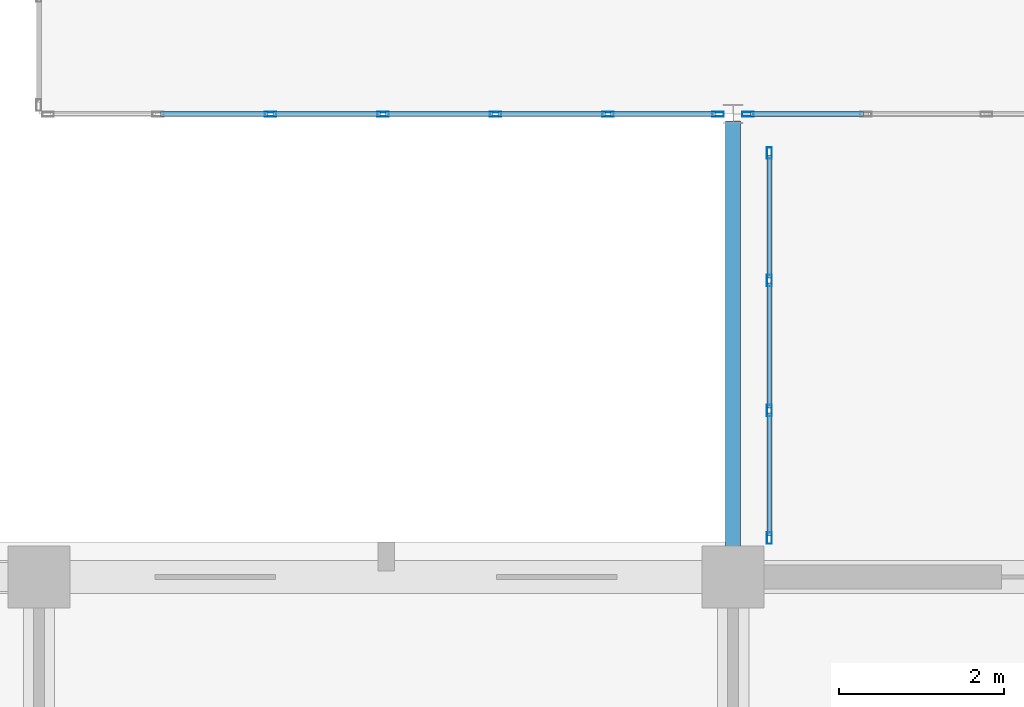
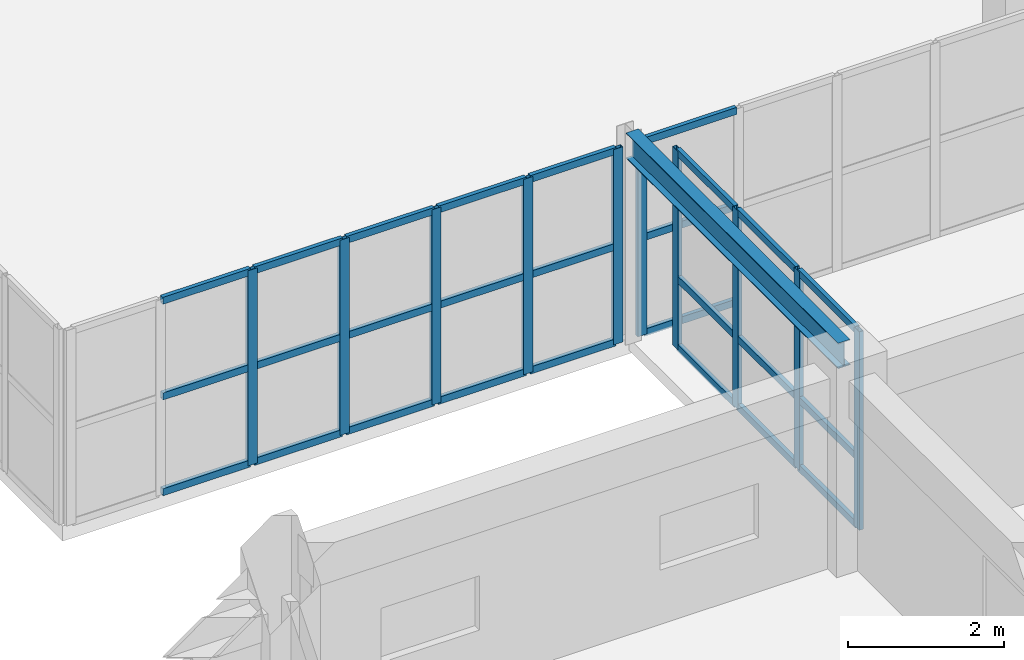
# One storey, part 54 of 200: 37 members, 1 beam, 3 elements without a shape of their own.
"""IFC4 building model written with IfcOpenShell, lengths in metres."""

from ifc_helpers import new_model, si_unit, direction, frame, origin, origin_2d, place, context, subcontext, project, spatial, hollow_rectangle, i_section, extrude, material, layer, layer_set, material_profile, profile_set, type_object, element, aggregate, save


model = new_model("IFC4")

# Units and contexts
model_context = context("Model", 3, precision=1e-05, world=origin(), true_north=direction((0.0, 1.0)))
body_context = subcontext(model_context, "Body", "Model", "MODEL_VIEW")
ifc_project = project(units=[si_unit("LENGTHUNIT", "METRE"), si_unit("AREAUNIT", "SQUARE_METRE"), si_unit("VOLUMEUNIT", "CUBIC_METRE"), si_unit("PLANEANGLEUNIT", "RADIAN"), si_unit("MASSUNIT", "GRAM", prefix="KILO")], contexts=[model_context])

# Site, building, storey
site_placement = place(None, origin())
site = spatial("IfcSite", under=ifc_project, at=site_placement, CompositionType="ELEMENT")
building_placement = place(site_placement, origin())
building = spatial("IfcBuilding", under=site, at=building_placement, Name="Trelvath General Hospital", CompositionType="ELEMENT")
storey_placement = place(building_placement, frame((0.0, 0.0, 4.800048828125)))
storey = spatial("IfcBuildingStorey", under=building, at=storey_placement, Name="L01", CompositionType="ELEMENT", Elevation=4.800048828125)

# Beam
ifc_material_1 = material(Name="Steel S355", Category="steel")
ifc_material_profile_1 = material_profile(ifc_material_1, i_section(OverallWidth=0.179931640625, OverallDepth=0.39990234375, WebThickness=0.008544921875, FlangeThickness=0.013427734375, at=origin_2d()), Name="IPE400")
ifc_profile_set_1 = profile_set([ifc_material_profile_1], Name="Steel S355")
beam_type = type_object("IfcBeamType", Name="BridgeGirder IPE400", PredefinedType="BEAM", material=ifc_profile_set_1)
beam_placement = place(storey_placement, frame((100.800048828125, 25.280029296875, 3.099853515625), z_axis=(0.0, 1.0, 0.0), x_axis=(-1.0, 0.0, 0.0)))
element("IfcBeam", 1, at=beam_placement, inside=storey, type_object=beam_type, Name="Bridge Roof Girder BRG-S-E W", PredefinedType="BEAM", context=body_context, shape_type="SweptSolid", body=[
    extrude(i_section(OverallWidth=0.179931640625, OverallDepth=0.39990234375, WebThickness=0.008544921875, FlangeThickness=0.013427734375, at=origin_2d()), origin(), (0.0, 0.0, 1.0), 5.43994140625),
])

# Curtain wall, members
ifc_material_2 = material(Name="Anodised aluminium and low-E glass", Category="aluminium")
ifc_layer_1 = layer(ifc_material_2, 0.14990234375)
ifc_layer_set_1 = layer_set([ifc_layer_1], Name="Anodised aluminium and low-E glass")
curtain_wall_type_1 = type_object("IfcCurtainWallType", Name="CW CrystalCube 817 306 15", PredefinedType="USERDEFINED", material=ifc_layer_set_1)
curtain_wall_1_placement = place(storey_placement, origin())
curtain_wall_1 = element("IfcCurtainWall", 2, at=curtain_wall_1_placement, inside=storey, type_object=curtain_wall_type_1, Name="Crystal Cube Curtain Wall CUBE-E-T0 S1 L01", ObjectType="Unitised Glazed Curtain Wall", PredefinedType="USERDEFINED")
ifc_material_3 = material(Name="Anodised aluminium", Category="aluminium")
ifc_material_profile_2 = material_profile(ifc_material_3, hollow_rectangle(XDim=0.06005859375, YDim=0.139892578125, WallThickness=0.00390625, at=origin_2d()), Name="RHS60x140x4")
ifc_profile_set_2 = profile_set([ifc_material_profile_2], Name="Anodised aluminium")
member_type_1 = type_object("IfcMemberType", Name="CurtainMullion 60x140", PredefinedType="MULLION", material=ifc_profile_set_2)
member_1_placement = place(storey_placement, frame((100.6201171875, 30.800048828125, 0.0), z_axis=(0.0, 0.0, 1.0), x_axis=(0.0, -1.0, 0.0)))
member_1 = element("IfcMember", 3, at=member_1_placement, type_object=member_type_1, Name="CW-150 mullion 1", PredefinedType="MULLION", context=body_context, shape_type="SweptSolid", body=[
    extrude(hollow_rectangle(XDim=0.06005859375, YDim=0.139892578125, WallThickness=0.00390625, at=origin_2d()), origin(), (0.0, 0.0, 1.0), 3.06005859375),
])
member_2_placement = place(storey_placement, frame((99.288330078125, 30.800048828125, 0.0), z_axis=(0.0, 0.0, 1.0), x_axis=(0.0, -1.0, 0.0)))
member_2 = element("IfcMember", 4, at=member_2_placement, type_object=member_type_1, Name="CW-150 mullion 2", PredefinedType="MULLION", context=body_context, shape_type="SweptSolid", body=[
    extrude(hollow_rectangle(XDim=0.06005859375, YDim=0.139892578125, WallThickness=0.00390625, at=origin_2d()), origin(), (0.0, 0.0, 1.0), 3.06005859375),
])
member_3_placement = place(storey_placement, frame((97.9267578125, 30.800048828125, 0.0), z_axis=(0.0, 0.0, 1.0), x_axis=(0.0, -1.0, 0.0)))
member_3 = element("IfcMember", 5, at=member_3_placement, type_object=member_type_1, Name="CW-150 mullion 3", PredefinedType="MULLION", context=body_context, shape_type="SweptSolid", body=[
    extrude(hollow_rectangle(XDim=0.06005859375, YDim=0.139892578125, WallThickness=0.00390625, at=origin_2d()), origin(), (0.0, 0.0, 1.0), 3.06005859375),
])
member_4_placement = place(storey_placement, frame((96.56494140625, 30.800048828125, 0.0), z_axis=(0.0, 0.0, 1.0), x_axis=(0.0, -1.0, 0.0)))
member_4 = element("IfcMember", 6, at=member_4_placement, type_object=member_type_1, Name="CW-150 mullion 4", PredefinedType="MULLION", context=body_context, shape_type="SweptSolid", body=[
    extrude(hollow_rectangle(XDim=0.06005859375, YDim=0.139892578125, WallThickness=0.00390625, at=origin_2d()), origin(), (0.0, 0.0, 1.0), 3.06005859375),
])
member_5_placement = place(storey_placement, frame((95.203369140625, 30.800048828125, 0.0), z_axis=(0.0, 0.0, 1.0), x_axis=(0.0, -1.0, 0.0)))
member_5 = element("IfcMember", 7, at=member_5_placement, type_object=member_type_1, Name="CW-150 mullion 5", PredefinedType="MULLION", context=body_context, shape_type="SweptSolid", body=[
    extrude(hollow_rectangle(XDim=0.06005859375, YDim=0.139892578125, WallThickness=0.00390625, at=origin_2d()), origin(), (0.0, 0.0, 1.0), 3.06005859375),
])

# Curtain wall, member
ifc_material_4 = material(Name="Anodised aluminium and low-E glass", Category="aluminium")
ifc_layer_2 = layer(ifc_material_4, 0.14990234375)
ifc_layer_set_2 = layer_set([ifc_layer_2], Name="Anodised aluminium and low-E glass")
curtain_wall_type_2 = type_object("IfcCurtainWallType", Name="CW CrystalCube 583 306 15", PredefinedType="USERDEFINED", material=ifc_layer_set_2)
curtain_wall_2_placement = place(storey_placement, origin())
curtain_wall_2 = element("IfcCurtainWall", 8, at=curtain_wall_2_placement, inside=storey, type_object=curtain_wall_type_2, Name="Crystal Cube Curtain Wall CUBE-E-T0 S2 L01", ObjectType="Unitised Glazed Curtain Wall", PredefinedType="USERDEFINED")
member_6_placement = place(storey_placement, frame((100.97998046875, 30.800048828125, 0.0), z_axis=(0.0, 0.0, 1.0), x_axis=(0.0, -1.0, 0.0)))
member_6 = element("IfcMember", 9, at=member_6_placement, type_object=member_type_1, Name="CW-151 mullion 5", PredefinedType="MULLION", context=body_context, shape_type="SweptSolid", body=[
    extrude(hollow_rectangle(XDim=0.06005859375, YDim=0.139892578125, WallThickness=0.00390625, at=origin_2d()), origin(), (0.0, 0.0, 1.0), 3.06005859375),
])

# Curtain wall, members
ifc_material_5 = material(Name="Anodised aluminium and low-E glass", Category="aluminium")
ifc_layer_3 = layer(ifc_material_5, 0.139892578125)
ifc_layer_set_3 = layer_set([ifc_layer_3], Name="Anodised aluminium and low-E glass")
curtain_wall_type_3 = type_object("IfcCurtainWallType", Name="CW Bridge 472 311", PredefinedType="USERDEFINED", material=ifc_layer_set_3)
curtain_wall_3_placement = place(storey_placement, origin())
curtain_wall_3 = element("IfcCurtainWall", 10, at=curtain_wall_3_placement, inside=storey, type_object=curtain_wall_type_3, Name="Glazed Bridge Curtain Wall BRG-S-E W L01", ObjectType="Unitised Glazed Curtain Wall", PredefinedType="USERDEFINED")
member_7_placement = place(storey_placement, frame((101.239990234375, 25.669921875, 0.0), z_axis=(0.0, 0.0, 1.0), x_axis=(-1.0, 0.0, 0.0)))
member_7 = element("IfcMember", 11, at=member_7_placement, type_object=member_type_1, Name="CW-188 mullion 1", PredefinedType="MULLION", context=body_context, shape_type="SweptSolid", body=[
    extrude(hollow_rectangle(XDim=0.06005859375, YDim=0.139892578125, WallThickness=0.00390625, at=origin_2d()), origin(), (0.0, 0.0, 1.0), 3.10986328125),
])
member_8_placement = place(storey_placement, frame((101.239990234375, 27.21337890625, 0.0), z_axis=(0.0, 0.0, 1.0), x_axis=(-1.0, 0.0, 0.0)))
member_8 = element("IfcMember", 12, at=member_8_placement, type_object=member_type_1, Name="CW-188 mullion 2", PredefinedType="MULLION", context=body_context, shape_type="SweptSolid", body=[
    extrude(hollow_rectangle(XDim=0.06005859375, YDim=0.139892578125, WallThickness=0.00390625, at=origin_2d()), origin(), (0.0, 0.0, 1.0), 3.10986328125),
])
member_9_placement = place(storey_placement, frame((101.239990234375, 28.78662109375, 0.0), z_axis=(0.0, 0.0, 1.0), x_axis=(-1.0, 0.0, 0.0)))
member_9 = element("IfcMember", 13, at=member_9_placement, type_object=member_type_1, Name="CW-188 mullion 3", PredefinedType="MULLION", context=body_context, shape_type="SweptSolid", body=[
    extrude(hollow_rectangle(XDim=0.06005859375, YDim=0.139892578125, WallThickness=0.00390625, at=origin_2d()), origin(), (0.0, 0.0, 1.0), 3.10986328125),
])
member_10_placement = place(storey_placement, frame((101.239990234375, 30.330078125, 0.0), z_axis=(0.0, 0.0, 1.0), x_axis=(-1.0, 0.0, 0.0)))
member_10 = element("IfcMember", 14, at=member_10_placement, type_object=member_type_1, Name="CW-188 mullion 4", PredefinedType="MULLION", context=body_context, shape_type="SweptSolid", body=[
    extrude(hollow_rectangle(XDim=0.06005859375, YDim=0.139892578125, WallThickness=0.00390625, at=origin_2d()), origin(), (0.0, 0.0, 1.0), 3.10986328125),
])

# Member
ifc_material_6 = material(Name="Anodised aluminium", Category="aluminium")
ifc_material_profile_3 = material_profile(ifc_material_6, hollow_rectangle(XDim=0.06005859375, YDim=0.110107421875, WallThickness=0.00390625, at=origin_2d()), Name="RHS60x110x4")
ifc_profile_set_3 = profile_set([ifc_material_profile_3], Name="Anodised aluminium")
member_type_2 = type_object("IfcMemberType", Name="CurtainTransom 60x110", PredefinedType="USERDEFINED", material=ifc_profile_set_3)
member_11_placement = place(storey_placement, frame((100.590087890625, 30.800048828125, 0.030029296875), z_axis=(-1.0, 0.0, 0.0), x_axis=(0.0, -1.0, 0.0)))
member_11 = element("IfcMember", 15, at=member_11_placement, type_object=member_type_2, Name="CW-150 transom 1.1", ObjectType="TRANSOM", PredefinedType="USERDEFINED", context=body_context, shape_type="SweptSolid", body=[
    extrude(hollow_rectangle(XDim=0.06005859375, YDim=0.110107421875, WallThickness=0.00390625, at=origin_2d()), origin(), (0.0, 0.0, 1.0), 1.271728515625),
])

member_12_placement = place(storey_placement, frame((100.590087890625, 30.800048828125, 1.530029296875), z_axis=(-1.0, 0.0, 0.0), x_axis=(0.0, -1.0, 0.0)))
member_12 = element("IfcMember", 16, at=member_12_placement, type_object=member_type_2, Name="CW-150 transom 1.2", ObjectType="TRANSOM", PredefinedType="USERDEFINED", context=body_context, shape_type="SweptSolid", body=[
    extrude(hollow_rectangle(XDim=0.06005859375, YDim=0.110107421875, WallThickness=0.00390625, at=origin_2d()), origin(), (0.0, 0.0, 1.0), 1.271728515625),
])

member_13_placement = place(storey_placement, frame((100.590087890625, 30.800048828125, 3.030029296875), z_axis=(-1.0, 0.0, 0.0), x_axis=(0.0, -1.0, 0.0)))
member_13 = element("IfcMember", 17, at=member_13_placement, type_object=member_type_2, Name="CW-150 transom 1.3", ObjectType="TRANSOM", PredefinedType="USERDEFINED", context=body_context, shape_type="SweptSolid", body=[
    extrude(hollow_rectangle(XDim=0.06005859375, YDim=0.110107421875, WallThickness=0.00390625, at=origin_2d()), origin(), (0.0, 0.0, 1.0), 1.271728515625),
])

member_14_placement = place(storey_placement, frame((99.25830078125, 30.800048828125, 0.030029296875), z_axis=(-1.0, 0.0, 0.0), x_axis=(0.0, -1.0, 0.0)))
member_14 = element("IfcMember", 18, at=member_14_placement, type_object=member_type_2, Name="CW-150 transom 2.1", ObjectType="TRANSOM", PredefinedType="USERDEFINED", context=body_context, shape_type="SweptSolid", body=[
    extrude(hollow_rectangle(XDim=0.06005859375, YDim=0.110107421875, WallThickness=0.00390625, at=origin_2d()), origin(), (0.0, 0.0, 1.0), 1.301513671875),
])

member_15_placement = place(storey_placement, frame((99.25830078125, 30.800048828125, 1.530029296875), z_axis=(-1.0, 0.0, 0.0), x_axis=(0.0, -1.0, 0.0)))
member_15 = element("IfcMember", 19, at=member_15_placement, type_object=member_type_2, Name="CW-150 transom 2.2", ObjectType="TRANSOM", PredefinedType="USERDEFINED", context=body_context, shape_type="SweptSolid", body=[
    extrude(hollow_rectangle(XDim=0.06005859375, YDim=0.110107421875, WallThickness=0.00390625, at=origin_2d()), origin(), (0.0, 0.0, 1.0), 1.301513671875),
])

member_16_placement = place(storey_placement, frame((99.25830078125, 30.800048828125, 3.030029296875), z_axis=(-1.0, 0.0, 0.0), x_axis=(0.0, -1.0, 0.0)))
member_16 = element("IfcMember", 20, at=member_16_placement, type_object=member_type_2, Name="CW-150 transom 2.3", ObjectType="TRANSOM", PredefinedType="USERDEFINED", context=body_context, shape_type="SweptSolid", body=[
    extrude(hollow_rectangle(XDim=0.06005859375, YDim=0.110107421875, WallThickness=0.00390625, at=origin_2d()), origin(), (0.0, 0.0, 1.0), 1.301513671875),
])

member_17_placement = place(storey_placement, frame((97.896728515625, 30.800048828125, 0.030029296875), z_axis=(-1.0, 0.0, 0.0), x_axis=(0.0, -1.0, 0.0)))
member_17 = element("IfcMember", 21, at=member_17_placement, type_object=member_type_2, Name="CW-150 transom 3.1", ObjectType="TRANSOM", PredefinedType="USERDEFINED", context=body_context, shape_type="SweptSolid", body=[
    extrude(hollow_rectangle(XDim=0.06005859375, YDim=0.110107421875, WallThickness=0.00390625, at=origin_2d()), origin(), (0.0, 0.0, 1.0), 1.3017578125),
])

member_18_placement = place(storey_placement, frame((97.896728515625, 30.800048828125, 1.530029296875), z_axis=(-1.0, 0.0, 0.0), x_axis=(0.0, -1.0, 0.0)))
member_18 = element("IfcMember", 22, at=member_18_placement, type_object=member_type_2, Name="CW-150 transom 3.2", ObjectType="TRANSOM", PredefinedType="USERDEFINED", context=body_context, shape_type="SweptSolid", body=[
    extrude(hollow_rectangle(XDim=0.06005859375, YDim=0.110107421875, WallThickness=0.00390625, at=origin_2d()), origin(), (0.0, 0.0, 1.0), 1.3017578125),
])

member_19_placement = place(storey_placement, frame((97.896728515625, 30.800048828125, 3.030029296875), z_axis=(-1.0, 0.0, 0.0), x_axis=(0.0, -1.0, 0.0)))
member_19 = element("IfcMember", 23, at=member_19_placement, type_object=member_type_2, Name="CW-150 transom 3.3", ObjectType="TRANSOM", PredefinedType="USERDEFINED", context=body_context, shape_type="SweptSolid", body=[
    extrude(hollow_rectangle(XDim=0.06005859375, YDim=0.110107421875, WallThickness=0.00390625, at=origin_2d()), origin(), (0.0, 0.0, 1.0), 1.3017578125),
])

member_20_placement = place(storey_placement, frame((96.534912109375, 30.800048828125, 0.030029296875), z_axis=(-1.0, 0.0, 0.0), x_axis=(0.0, -1.0, 0.0)))
member_20 = element("IfcMember", 24, at=member_20_placement, type_object=member_type_2, Name="CW-150 transom 4.1", ObjectType="TRANSOM", PredefinedType="USERDEFINED", context=body_context, shape_type="SweptSolid", body=[
    extrude(hollow_rectangle(XDim=0.06005859375, YDim=0.110107421875, WallThickness=0.00390625, at=origin_2d()), origin(), (0.0, 0.0, 1.0), 1.301513671875),
])

member_21_placement = place(storey_placement, frame((96.534912109375, 30.800048828125, 1.530029296875), z_axis=(-1.0, 0.0, 0.0), x_axis=(0.0, -1.0, 0.0)))
member_21 = element("IfcMember", 25, at=member_21_placement, type_object=member_type_2, Name="CW-150 transom 4.2", ObjectType="TRANSOM", PredefinedType="USERDEFINED", context=body_context, shape_type="SweptSolid", body=[
    extrude(hollow_rectangle(XDim=0.06005859375, YDim=0.110107421875, WallThickness=0.00390625, at=origin_2d()), origin(), (0.0, 0.0, 1.0), 1.301513671875),
])

member_22_placement = place(storey_placement, frame((96.534912109375, 30.800048828125, 3.030029296875), z_axis=(-1.0, 0.0, 0.0), x_axis=(0.0, -1.0, 0.0)))
member_22 = element("IfcMember", 26, at=member_22_placement, type_object=member_type_2, Name="CW-150 transom 4.3", ObjectType="TRANSOM", PredefinedType="USERDEFINED", context=body_context, shape_type="SweptSolid", body=[
    extrude(hollow_rectangle(XDim=0.06005859375, YDim=0.110107421875, WallThickness=0.00390625, at=origin_2d()), origin(), (0.0, 0.0, 1.0), 1.301513671875),
])

member_23_placement = place(storey_placement, frame((95.17333984375, 30.800048828125, 0.030029296875), z_axis=(-1.0, 0.0, 0.0), x_axis=(0.0, -1.0, 0.0)))
member_23 = element("IfcMember", 27, at=member_23_placement, type_object=member_type_2, Name="CW-150 transom 5.1", ObjectType="TRANSOM", PredefinedType="USERDEFINED", context=body_context, shape_type="SweptSolid", body=[
    extrude(hollow_rectangle(XDim=0.06005859375, YDim=0.110107421875, WallThickness=0.00390625, at=origin_2d()), origin(), (0.0, 0.0, 1.0), 1.3017578125),
])

member_24_placement = place(storey_placement, frame((95.17333984375, 30.800048828125, 1.530029296875), z_axis=(-1.0, 0.0, 0.0), x_axis=(0.0, -1.0, 0.0)))
member_24 = element("IfcMember", 28, at=member_24_placement, type_object=member_type_2, Name="CW-150 transom 5.2", ObjectType="TRANSOM", PredefinedType="USERDEFINED", context=body_context, shape_type="SweptSolid", body=[
    extrude(hollow_rectangle(XDim=0.06005859375, YDim=0.110107421875, WallThickness=0.00390625, at=origin_2d()), origin(), (0.0, 0.0, 1.0), 1.3017578125),
])

member_25_placement = place(storey_placement, frame((95.17333984375, 30.800048828125, 3.030029296875), z_axis=(-1.0, 0.0, 0.0), x_axis=(0.0, -1.0, 0.0)))
member_25 = element("IfcMember", 29, at=member_25_placement, type_object=member_type_2, Name="CW-150 transom 5.3", ObjectType="TRANSOM", PredefinedType="USERDEFINED", context=body_context, shape_type="SweptSolid", body=[
    extrude(hollow_rectangle(XDim=0.06005859375, YDim=0.110107421875, WallThickness=0.00390625, at=origin_2d()), origin(), (0.0, 0.0, 1.0), 1.3017578125),
])

aggregate(curtain_wall_1, [member_1, member_2, member_3, member_4, member_5, member_11, member_12, member_13, member_14, member_15, member_16, member_17, member_18, member_19, member_20, member_21, member_22, member_23, member_24, member_25])

member_26_placement = place(storey_placement, frame((102.37744140625, 30.800048828125, 0.030029296875), z_axis=(-1.0, 0.0, 0.0), x_axis=(0.0, -1.0, 0.0)))
member_26 = element("IfcMember", 30, at=member_26_placement, type_object=member_type_2, Name="CW-151 transom 4.1", ObjectType="TRANSOM", PredefinedType="USERDEFINED", context=body_context, shape_type="SweptSolid", body=[
    extrude(hollow_rectangle(XDim=0.06005859375, YDim=0.110107421875, WallThickness=0.00390625, at=origin_2d()), origin(), (0.0, 0.0, 1.0), 1.367431640625),
])

member_27_placement = place(storey_placement, frame((102.37744140625, 30.800048828125, 1.530029296875), z_axis=(-1.0, 0.0, 0.0), x_axis=(0.0, -1.0, 0.0)))
member_27 = element("IfcMember", 31, at=member_27_placement, type_object=member_type_2, Name="CW-151 transom 4.2", ObjectType="TRANSOM", PredefinedType="USERDEFINED", context=body_context, shape_type="SweptSolid", body=[
    extrude(hollow_rectangle(XDim=0.06005859375, YDim=0.110107421875, WallThickness=0.00390625, at=origin_2d()), origin(), (0.0, 0.0, 1.0), 1.367431640625),
])

member_28_placement = place(storey_placement, frame((102.37744140625, 30.800048828125, 3.030029296875), z_axis=(-1.0, 0.0, 0.0), x_axis=(0.0, -1.0, 0.0)))
member_28 = element("IfcMember", 32, at=member_28_placement, type_object=member_type_2, Name="CW-151 transom 4.3", ObjectType="TRANSOM", PredefinedType="USERDEFINED", context=body_context, shape_type="SweptSolid", body=[
    extrude(hollow_rectangle(XDim=0.06005859375, YDim=0.110107421875, WallThickness=0.00390625, at=origin_2d()), origin(), (0.0, 0.0, 1.0), 1.367431640625),
])

aggregate(curtain_wall_2, [member_6, member_26, member_27, member_28])

member_29_placement = place(storey_placement, frame((101.239990234375, 25.699951171875, 0.030029296875), z_axis=(0.0, 1.0, 0.0), x_axis=(-1.0, 0.0, 0.0)))
member_29 = element("IfcMember", 33, at=member_29_placement, type_object=member_type_2, Name="CW-188 transom 1.1", ObjectType="TRANSOM", PredefinedType="USERDEFINED", context=body_context, shape_type="SweptSolid", body=[
    extrude(hollow_rectangle(XDim=0.06005859375, YDim=0.110107421875, WallThickness=0.00390625, at=origin_2d()), origin(), (0.0, 0.0, 1.0), 1.4833984375),
])

member_30_placement = place(storey_placement, frame((101.239990234375, 25.699951171875, 1.099853515625), z_axis=(0.0, 1.0, 0.0), x_axis=(-1.0, 0.0, 0.0)))
member_30 = element("IfcMember", 34, at=member_30_placement, type_object=member_type_2, Name="CW-188 transom 1.2", ObjectType="TRANSOM", PredefinedType="USERDEFINED", context=body_context, shape_type="SweptSolid", body=[
    extrude(hollow_rectangle(XDim=0.06005859375, YDim=0.110107421875, WallThickness=0.00390625, at=origin_2d()), origin(), (0.0, 0.0, 1.0), 1.4833984375),
])

member_31_placement = place(storey_placement, frame((101.239990234375, 25.699951171875, 3.079833984375), z_axis=(0.0, 1.0, 0.0), x_axis=(-1.0, 0.0, 0.0)))
member_31 = element("IfcMember", 35, at=member_31_placement, type_object=member_type_2, Name="CW-188 transom 1.3", ObjectType="TRANSOM", PredefinedType="USERDEFINED", context=body_context, shape_type="SweptSolid", body=[
    extrude(hollow_rectangle(XDim=0.06005859375, YDim=0.110107421875, WallThickness=0.00390625, at=origin_2d()), origin(), (0.0, 0.0, 1.0), 1.4833984375),
])

member_32_placement = place(storey_placement, frame((101.239990234375, 27.243408203125, 0.030029296875), z_axis=(0.0, 1.0, 0.0), x_axis=(-1.0, 0.0, 0.0)))
member_32 = element("IfcMember", 36, at=member_32_placement, type_object=member_type_2, Name="CW-188 transom 2.1", ObjectType="TRANSOM", PredefinedType="USERDEFINED", context=body_context, shape_type="SweptSolid", body=[
    extrude(hollow_rectangle(XDim=0.06005859375, YDim=0.110107421875, WallThickness=0.00390625, at=origin_2d()), origin(), (0.0, 0.0, 1.0), 1.51318359375),
])

member_33_placement = place(storey_placement, frame((101.239990234375, 27.243408203125, 1.099853515625), z_axis=(0.0, 1.0, 0.0), x_axis=(-1.0, 0.0, 0.0)))
member_33 = element("IfcMember", 37, at=member_33_placement, type_object=member_type_2, Name="CW-188 transom 2.2", ObjectType="TRANSOM", PredefinedType="USERDEFINED", context=body_context, shape_type="SweptSolid", body=[
    extrude(hollow_rectangle(XDim=0.06005859375, YDim=0.110107421875, WallThickness=0.00390625, at=origin_2d()), origin(), (0.0, 0.0, 1.0), 1.51318359375),
])

member_34_placement = place(storey_placement, frame((101.239990234375, 27.243408203125, 3.079833984375), z_axis=(0.0, 1.0, 0.0), x_axis=(-1.0, 0.0, 0.0)))
member_34 = element("IfcMember", 38, at=member_34_placement, type_object=member_type_2, Name="CW-188 transom 2.3", ObjectType="TRANSOM", PredefinedType="USERDEFINED", context=body_context, shape_type="SweptSolid", body=[
    extrude(hollow_rectangle(XDim=0.06005859375, YDim=0.110107421875, WallThickness=0.00390625, at=origin_2d()), origin(), (0.0, 0.0, 1.0), 1.51318359375),
])

member_35_placement = place(storey_placement, frame((101.239990234375, 28.816650390625, 0.030029296875), z_axis=(0.0, 1.0, 0.0), x_axis=(-1.0, 0.0, 0.0)))
member_35 = element("IfcMember", 39, at=member_35_placement, type_object=member_type_2, Name="CW-188 transom 3.1", ObjectType="TRANSOM", PredefinedType="USERDEFINED", context=body_context, shape_type="SweptSolid", body=[
    extrude(hollow_rectangle(XDim=0.06005859375, YDim=0.110107421875, WallThickness=0.00390625, at=origin_2d()), origin(), (0.0, 0.0, 1.0), 1.4833984375),
])

member_36_placement = place(storey_placement, frame((101.239990234375, 28.816650390625, 1.099853515625), z_axis=(0.0, 1.0, 0.0), x_axis=(-1.0, 0.0, 0.0)))
member_36 = element("IfcMember", 40, at=member_36_placement, type_object=member_type_2, Name="CW-188 transom 3.2", ObjectType="TRANSOM", PredefinedType="USERDEFINED", context=body_context, shape_type="SweptSolid", body=[
    extrude(hollow_rectangle(XDim=0.06005859375, YDim=0.110107421875, WallThickness=0.00390625, at=origin_2d()), origin(), (0.0, 0.0, 1.0), 1.4833984375),
])

member_37_placement = place(storey_placement, frame((101.239990234375, 28.816650390625, 3.079833984375), z_axis=(0.0, 1.0, 0.0), x_axis=(-1.0, 0.0, 0.0)))
member_37 = element("IfcMember", 41, at=member_37_placement, type_object=member_type_2, Name="CW-188 transom 3.3", ObjectType="TRANSOM", PredefinedType="USERDEFINED", context=body_context, shape_type="SweptSolid", body=[
    extrude(hollow_rectangle(XDim=0.06005859375, YDim=0.110107421875, WallThickness=0.00390625, at=origin_2d()), origin(), (0.0, 0.0, 1.0), 1.4833984375),
])

aggregate(curtain_wall_3, [member_7, member_8, member_9, member_10, member_29, member_30, member_31, member_32, member_33, member_34, member_35, member_36, member_37])

save(model, "model.ifc")
